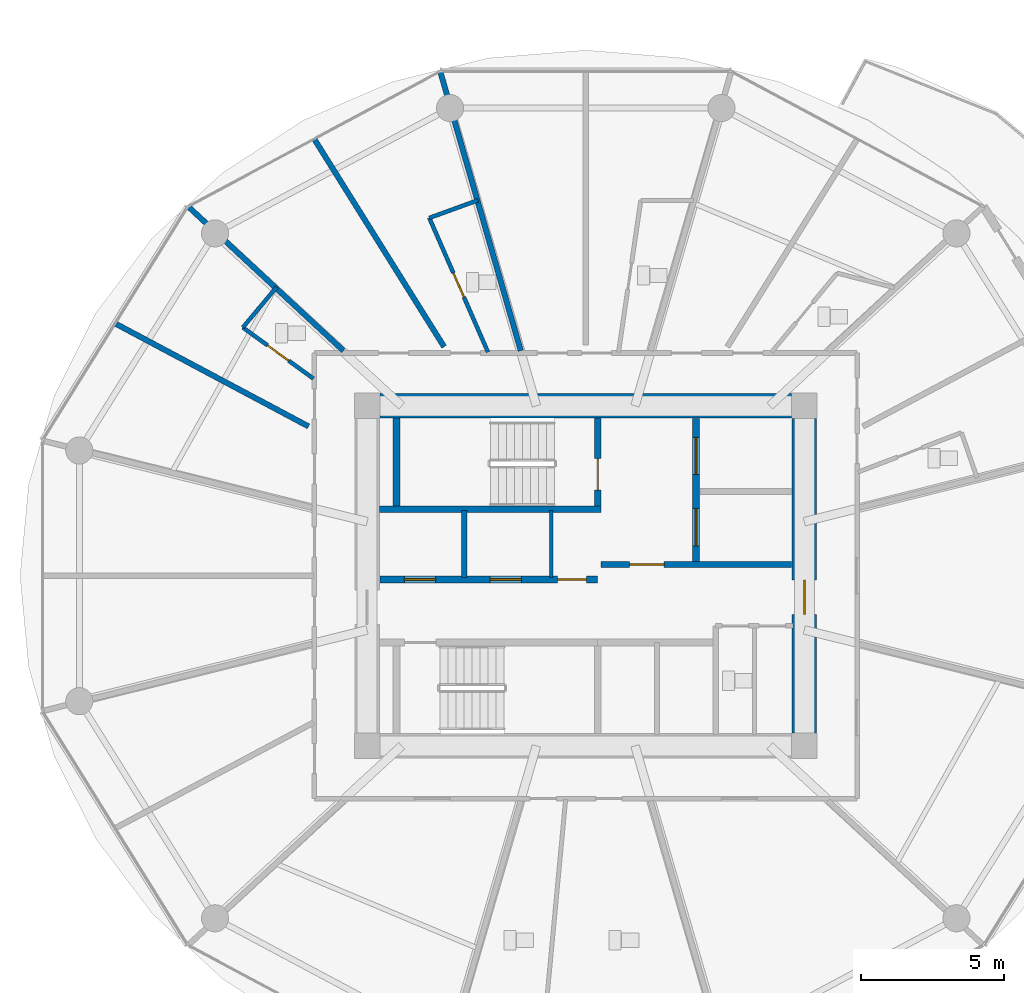
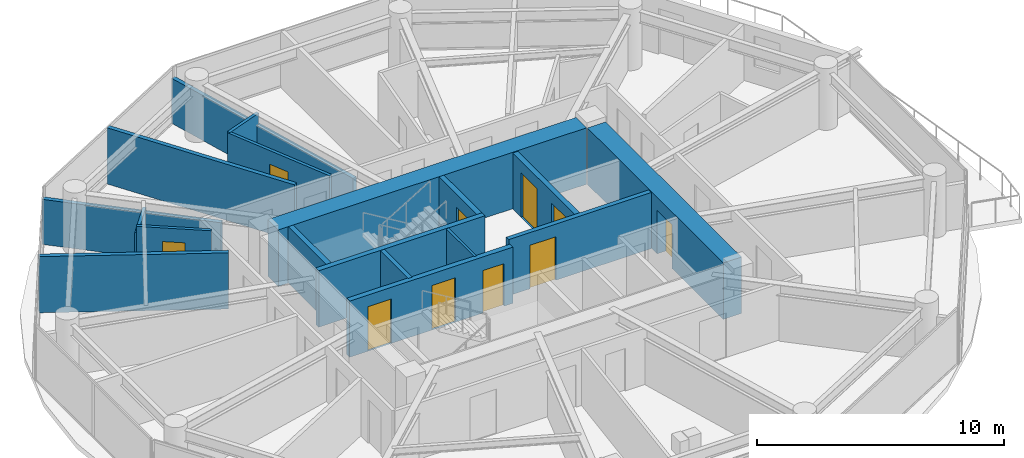
# One storey, part 16 of 26: 18 walls, 10 doors, 10 openings.
"""IFC4 building model written with IfcOpenShell, lengths in metres."""

import ifcopenshell
import ifcopenshell.guid

model = None  # the IFC model being written
_history = None  # IfcOwnerHistory: only IFC2X3 demands one
_inside = {}  # id of a spatial element -> (the spatial element, [elements in it])
_under = {}  # id of a project, library or spatial element -> (it, [spatial elements below it])
_declared = {}  # id of a project -> (the project, [libraries it declares])
_typed = {}  # id of a type object -> (the type object, [elements of that type])
_made_of = {}  # id of a material, layer set ... -> (it, [elements and type objects made of it])


def new_model(schema):
    """Start an empty IFC model of exactly this schema.

    Asked for "IFC4X3", IfcOpenShell would pick the latest addendum, in which some entities
    have other attributes; the version numbers below select the first issue.
    IFC2X3 requires an IfcOwnerHistory on every rooted entity: one is made here for all.
    """
    global model, _history
    if schema == "IFC4X3":
        model = ifcopenshell.file(schema_version=(4, 3, 0, 0))
    else:
        model = ifcopenshell.file(schema=schema)
    _inside.clear()
    _under.clear()
    _declared.clear()
    _typed.clear()
    _made_of.clear()
    _history = None
    if model.schema == "IFC2X3":
        org = make("IfcOrganization", Name="unknown")
        user = make(
            "IfcPersonAndOrganization",
            ThePerson=make("IfcPerson", FamilyName="unknown"),
            TheOrganization=org,
        )
        app = make(
            "IfcApplication",
            ApplicationDeveloper=org,
            Version="unknown",
            ApplicationFullName="unknown",
            ApplicationIdentifier="unknown",
        )
        _history = make(
            "IfcOwnerHistory",
            OwningUser=user,
            OwningApplication=app,
            ChangeAction="ADDED",
            CreationDate=0,
        )
    return model


def make(cls, **values):
    """One entity of the class cls with the attributes given. An attribute that is None is left unset."""
    return model.create_entity(
        cls, **{name: value for name, value in values.items() if value is not None}
    )


def rooted(cls, **values):
    """An entity with a GlobalId (a new one), such as an element, a storey or a relation."""
    return make(cls, GlobalId=ifcopenshell.guid.new(), OwnerHistory=_history, **values)


def si_unit(unit_type, name, prefix=None):
    """IfcSIUnit, for example si_unit("LENGTHUNIT", "METRE", prefix="MILLI")."""
    return make("IfcSIUnit", UnitType=unit_type, Prefix=prefix, Name=name)


def assignment(units):
    """IfcUnitAssignment: the units of a project."""
    return None if units is None else make("IfcUnitAssignment", Units=units)


def point(xyz):
    """IfcCartesianPoint."""
    return None if xyz is None else make("IfcCartesianPoint", Coordinates=xyz)


def direction(xyz):
    """IfcDirection."""
    return None if xyz is None else make("IfcDirection", DirectionRatios=xyz)


def frame(location, z_axis=None, x_axis=None):
    """IfcAxis2Placement3D, a coordinate frame: its origin and axes. An axis left out is left unset."""
    return make(
        "IfcAxis2Placement3D",
        Location=point(location),
        Axis=direction(z_axis),
        RefDirection=direction(x_axis),
    )


def frame_2d(location, x_axis=None):
    """IfcAxis2Placement2D, a coordinate frame in the plane: its origin and x axis."""
    return make(
        "IfcAxis2Placement2D", Location=point(location), RefDirection=direction(x_axis)
    )


def origin():
    """The frame at (0, 0, 0) with its axes left unset."""
    return frame((0.0, 0.0, 0.0))


def place(relative_to, where):
    """IfcLocalPlacement: puts the frame where relative to a parent placement (None: the world)."""
    return make(
        "IfcLocalPlacement", PlacementRelTo=relative_to, RelativePlacement=where
    )


def context(
    kind, dimensions, precision=None, world=None, true_north=None, identifier=None
):
    """IfcGeometricRepresentationContext, for example the 3D "Model" context."""
    return make(
        "IfcGeometricRepresentationContext",
        ContextIdentifier=identifier,
        ContextType=kind,
        CoordinateSpaceDimension=dimensions,
        Precision=precision,
        WorldCoordinateSystem=world,
        TrueNorth=true_north,
    )


def subcontext(parent, identifier, kind, view, scale=None):
    """IfcGeometricRepresentationSubContext, for example "Body" below "Model"."""
    return make(
        "IfcGeometricRepresentationSubContext",
        ContextIdentifier=identifier,
        ContextType=kind,
        ParentContext=parent,
        TargetScale=scale,
        TargetView=view,
    )


def project(units=None, contexts=None):
    """IfcProject with its units and contexts."""
    return rooted(
        "IfcProject",
        Name="project",
        RepresentationContexts=contexts,
        UnitsInContext=assignment(units),
    )


def spatial(cls, under=None, at=None, **own):
    """A site, building, storey or space (cls), placed at a placement, below another one or the project."""
    s = rooted(cls, ObjectPlacement=at, **own)
    if under is not None:
        _under.setdefault(under.id(), (under, []))[1].append(s)
    return s


def profile(cls, at=None, kind="AREA", **sizes):
    """A parametric profile (cls). Its sizes go by their IFC names, for example OverallWidth=200.0."""
    return make(cls, ProfileType=kind, Position=at, **sizes)


def rectangle(**sizes):
    """IfcRectangleProfileDef."""
    return profile("IfcRectangleProfileDef", **sizes)


def extrude(swept, where, along, depth):
    """IfcExtrudedAreaSolid: the profile swept, set in the frame where, extruded along a direction by depth."""
    return make(
        "IfcExtrudedAreaSolid",
        SweptArea=swept,
        Position=where,
        ExtrudedDirection=direction(along),
        Depth=depth,
    )


def shape(context_of_items, identifier, shape_type, items):
    """IfcShapeRepresentation: the items that make up one representation, for example the "Body"."""
    return make(
        "IfcShapeRepresentation",
        ContextOfItems=context_of_items,
        RepresentationIdentifier=identifier,
        RepresentationType=shape_type,
        Items=items,
    )


def source(mapping_origin, context_of_items, identifier, shape_type, items):
    """IfcRepresentationMap: a shape defined once, which mapped items show again and again."""
    return make(
        "IfcRepresentationMap",
        MappingOrigin=mapping_origin,
        MappedRepresentation=shape(context_of_items, identifier, shape_type, items),
    )


def transform(
    local_origin,
    x_axis=None,
    y_axis=None,
    z_axis=None,
    scale=None,
    scale2=None,
    scale3=None,
    uniform=True,
):
    """IfcCartesianTransformationOperator3D, or its non-uniform kind. x_axis, y_axis, z_axis: its Axis1, 2, 3."""
    if uniform:
        return make(
            "IfcCartesianTransformationOperator3D",
            Axis1=direction(x_axis),
            Axis2=direction(y_axis),
            LocalOrigin=point(local_origin),
            Scale=scale,
            Axis3=direction(z_axis),
        )
    return make(
        "IfcCartesianTransformationOperator3DnonUniform",
        Axis1=direction(x_axis),
        Axis2=direction(y_axis),
        LocalOrigin=point(local_origin),
        Scale=scale,
        Axis3=direction(z_axis),
        Scale2=scale2,
        Scale3=scale3,
    )


def mapped(mapping_source, mapping_target):
    """IfcMappedItem: shows the shape of a source again, moved by a transform."""
    return make(
        "IfcMappedItem", MappingSource=mapping_source, MappingTarget=mapping_target
    )


def material(Name=None, Category=None):
    """IfcMaterial."""
    return make("IfcMaterial", Name=Name, Category=Category)


def layer(
    of_material, thickness, ventilated=None, Name=None, Category=None, Priority=None
):
    """IfcMaterialLayer: one layer of a wall or slab, of a material (None: an air gap)."""
    return make(
        "IfcMaterialLayer",
        Material=of_material,
        LayerThickness=thickness,
        IsVentilated=ventilated,
        Name=Name,
        Category=Category,
        Priority=Priority,
    )


def layer_set(layers, Name=None):
    """IfcMaterialLayerSet."""
    return make("IfcMaterialLayerSet", MaterialLayers=layers, LayerSetName=Name)


def made_of(thing, what):
    """Note that an element or type object is made of a material, layer set ...; save() writes the relation."""
    if what is not None:
        _made_of.setdefault(what.id(), (what, []))[1].append(thing)
    return thing


def type_object(cls, material=None, **own):
    """A type object (cls), such as IfcWallType, which elements share."""
    return made_of(rooted(cls, **own), material)


def type_shapes(of_type, sources):
    """Give a type object the sources (RepresentationMaps) that its elements show as mapped items."""
    of_type.RepresentationMaps = sources


def element(
    cls,
    number,
    at=None,
    inside=None,
    cuts=None,
    type_object=None,
    material=None,
    context=None,
    identifier="Body",
    shape_type=None,
    held_by="IfcProductDefinitionShape",
    body=None,
    shapes=None,
    **own,
):
    """One element of the class cls, such as IfcWall. Its Tag is "e" and its number.

    at: its placement. inside: the storey or other place that contains it. cuts: it is an
    opening in that element (IfcRelVoidsElement). A single representation is given by context,
    identifier, shape_type and body (its items); several are given by shapes. held_by: the class
    of the entity that holds the representations. save() writes the other relations.
    """
    e = rooted(cls, Tag="e%d" % number, ObjectPlacement=at, **own)
    if body is not None:
        shapes = [shape(context, identifier, shape_type, body)]
    if shapes is not None:
        e.Representation = make(held_by, Representations=shapes)
    if inside is not None:
        _inside.setdefault(inside.id(), (inside, []))[1].append(e)
    if cuts is not None:
        rooted(
            "IfcRelVoidsElement", RelatingBuildingElement=cuts, RelatedOpeningElement=e
        )
    if type_object is not None:
        _typed.setdefault(type_object.id(), (type_object, []))[1].append(e)
    return made_of(e, material)


def fill(opening, filler):
    """IfcRelFillsElement: the door or window that sits in an opening."""
    return rooted(
        "IfcRelFillsElement",
        RelatingOpeningElement=opening,
        RelatedBuildingElement=filler,
    )


def aggregate(whole, parts):
    """IfcRelAggregates: a whole, such as a stair, and the parts it consists of."""
    return rooted("IfcRelAggregates", RelatingObject=whole, RelatedObjects=parts)


def save(model, path):
    """Write the relations noted so far, then the file.

    IfcRelAggregates (storeys below a building ...), IfcRelContainedInSpatialStructure (elements
    in a storey), IfcRelDefinesByType, IfcRelAssociatesMaterial and IfcRelDeclares: one each for
    every whole, place, type object, material and project.
    """
    for whole, parts in _under.values():
        aggregate(whole, parts)
    for where, things in _inside.values():
        rooted(
            "IfcRelContainedInSpatialStructure",
            RelatedElements=things,
            RelatingStructure=where,
        )
    for kind, things in _typed.values():
        rooted("IfcRelDefinesByType", RelatedObjects=things, RelatingType=kind)
    for what, things in _made_of.values():
        rooted("IfcRelAssociatesMaterial", RelatedObjects=things, RelatingMaterial=what)
    for by, libraries in _declared.values():
        rooted("IfcRelDeclares", RelatingContext=by, RelatedDefinitions=libraries)
    model.write(path)


model = new_model("IFC4")

# Units and contexts
model_context = context("Model", 3, precision=1e-05, world=origin(), true_north=direction((0.0, 1.0)))
body_context = subcontext(model_context, "Body", "Model", "MODEL_VIEW")
ifc_project = project(units=[si_unit("LENGTHUNIT", "METRE"), si_unit("AREAUNIT", "SQUARE_METRE"), si_unit("VOLUMEUNIT", "CUBIC_METRE"), si_unit("PLANEANGLEUNIT", "RADIAN"), si_unit("MASSUNIT", "GRAM", prefix="KILO")], contexts=[model_context])

# Site, building, storey
site_placement = place(None, origin())
site = spatial("IfcSite", under=ifc_project, at=site_placement, CompositionType="ELEMENT")
building_placement = place(site_placement, origin())
building = spatial("IfcBuilding", under=site, at=building_placement, Name="Norrkilde Senior Care Towers", CompositionType="ELEMENT")
storey_placement = place(building_placement, frame((0.0, 0.0, 67.35009765625)))
storey = spatial("IfcBuildingStorey", under=building, at=storey_placement, Name="L20", CompositionType="ELEMENT", Elevation=67.35009765625)

# Wall
ifc_material_1 = material(Name="Concrete C60/75", Category="concrete")
ifc_layer_1 = layer(ifc_material_1, 0.85009765625)
ifc_layer_set_1 = layer_set([ifc_layer_1], Name="Concrete C60/75")
wall_type_1 = type_object("IfcWallType", Name="Core Shear Wall Z1 850", PredefinedType="SHEAR", material=ifc_layer_set_1)
shared_shape_1 = source(origin(), body_context, "Body", "SweptSolid", [
    extrude(rectangle(XDim=14.39990234375, YDim=0.85009765625, at=frame_2d((7.199951171875, 0.0))), origin(), (0.0, 0.0, 1.0), 2.789794921875),
])
wall_1_placement = place(storey_placement, frame((-35.199951171875, 5.949951171875, 0.0), z_axis=(0.0, 0.0, 1.0), x_axis=(1.0, 0.0, 0.0)))
element("IfcWall", 1, at=wall_1_placement, inside=storey, type_object=wall_type_1, Name="L20 Core W North Shear Wall", PredefinedType="SHEAR", context=body_context, shape_type="MappedRepresentation", body=[
    mapped(shared_shape_1, transform((0.0, 0.0, 0.0), x_axis=(1.0, 0.0, 0.0), y_axis=(0.0, 1.0, 0.0), z_axis=(0.0, 0.0, 1.0), scale=1.0)),
])

# Wall, opening, door
shared_shape_2 = source(origin(), body_context, "Body", "SweptSolid", [
    extrude(rectangle(XDim=11.0, YDim=0.85009765625, at=frame_2d((5.5, 0.0))), origin(), (0.0, 0.0, 1.0), 2.789794921875),
])
type_shapes(wall_type_1, [shared_shape_1, shared_shape_2])
wall_2_placement = place(storey_placement, frame((-20.35009765625, 5.5, 0.0), z_axis=(0.0, 0.0, 1.0), x_axis=(0.0, -1.0, 0.0)))
wall_2 = element("IfcWall", 2, at=wall_2_placement, inside=storey, type_object=wall_type_1, Name="L20 Core W East Shear Wall", PredefinedType="SHEAR", context=body_context, shape_type="MappedRepresentation", body=[
    mapped(shared_shape_2, transform((0.0, 0.0, 0.0), x_axis=(1.0, 0.0, 0.0), y_axis=(0.0, 1.0, 0.0), z_axis=(0.0, 0.0, 1.0), scale=1.0)),
])
opening_1_placement = place(wall_2_placement, frame((5.64990234375, 0.0, 0.0)))
opening_1 = element("IfcOpeningElement", 3, at=opening_1_placement, cuts=wall_2, Name="Opening D-04", PredefinedType="OPENING", context=body_context, shape_type="SweptSolid", body=[
    extrude(rectangle(XDim=1.199951171875, YDim=2.14990234375, at=frame_2d((0.60009765625, 1.074951171875))), frame((0.0, 0.43505859375, 0.0), z_axis=(0.0, -1.0, 0.0), x_axis=(1.0, 0.0, 0.0)), (0.0, 0.0, 1.0), 0.8701171875),
])
ifc_material_2 = material(Name="Galvanised Painted Steel", Category="steel")
door_type_1 = type_object("IfcDoorType", Name="Firefighting Lobby Fire Door 1200x2150", OperationType="NOTDEFINED", PredefinedType="DOOR", material=ifc_material_2)
shared_shape_3 = source(origin(), body_context, "Body", "SweptSolid", [
    extrude(rectangle(XDim=1.199951171875, YDim=2.14990234375, at=frame_2d((0.60009765625, 1.074951171875))), frame((0.0, 0.02490234375, 0.0), z_axis=(0.0, -1.0, 0.0), x_axis=(1.0, 0.0, 0.0)), (0.0, 0.0, 1.0), 0.050048828125),
])
type_shapes(door_type_1, [shared_shape_3])
door_1_placement = place(opening_1_placement, frame((1.199951171875, 0.0, 0.0), z_axis=(0.0, 0.0, 1.0), x_axis=(-1.0, 0.0, 0.0)))
door_1 = element("IfcDoor", 4, at=door_1_placement, inside=storey, type_object=door_type_1, Name="L20 Core W East Portal Door", OperationType="SINGLE_SWING_RIGHT", OverallHeight=2.14990234375, OverallWidth=1.199951171875, PredefinedType="DOOR", context=body_context, shape_type="MappedRepresentation", body=[
    mapped(shared_shape_3, transform((0.0, 0.0, 0.0), x_axis=(1.0, 0.0, 0.0), y_axis=(0.0, 1.0, 0.0), z_axis=(0.0, 0.0, 1.0), scale=1.0)),
])
fill(opening_1, door_1)

# Walls
ifc_material_3 = material(Name="Concrete C45/55", Category="concrete")
ifc_layer_2 = layer(ifc_material_3, 0.239990234375)
ifc_layer_set_2 = layer_set([ifc_layer_2], Name="Concrete C45/55")
wall_type_2 = type_object("IfcWallType", Name="Shaft and Stair Enclosure Wall 240", PredefinedType="PARTITIONING", material=ifc_layer_set_2)
shared_shape_4 = source(origin(), body_context, "Body", "SweptSolid", [
    extrude(rectangle(XDim=7.76513671875, YDim=0.239990234375, at=frame_2d((3.882568359375, 0.0))), origin(), (0.0, 0.0, 1.0), 2.789794921875),
])
wall_3_placement = place(storey_placement, frame((-35.22509765625, 2.330078125, 0.0), z_axis=(0.0, 0.0, 1.0), x_axis=(1.0, 0.0, 0.0)))
element("IfcWall", 5, at=wall_3_placement, inside=storey, type_object=wall_type_2, Name="WL-INT-L20-W-ST1S", PredefinedType="PARTITIONING", context=body_context, shape_type="MappedRepresentation", body=[
    mapped(shared_shape_4, transform((0.0, 0.0, 0.0), x_axis=(1.0, 0.0, 0.0), y_axis=(0.0, 1.0, 0.0), z_axis=(0.0, 0.0, 1.0), scale=1.0)),
])
shared_shape_5 = source(origin(), body_context, "Body", "SweptSolid", [
    extrude(rectangle(XDim=3.074951171875, YDim=0.239990234375, at=frame_2d((1.53759765625, 0.0))), origin(), (0.0, 0.0, 1.0), 2.789794921875),
])
type_shapes(wall_type_2, [shared_shape_4, shared_shape_5])
wall_4_placement = place(storey_placement, frame((-34.6201171875, 2.449951171875, 0.0), z_axis=(0.0, 0.0, 1.0), x_axis=(0.0, 1.0, 0.0)))
element("IfcWall", 6, at=wall_4_placement, inside=storey, type_object=wall_type_2, Name="WL-INT-L20-W-ST1W", PredefinedType="PARTITIONING", context=body_context, shape_type="MappedRepresentation", body=[
    mapped(shared_shape_5, transform((0.0, 0.0, 0.0), x_axis=(1.0, 0.0, 0.0), y_axis=(0.0, 1.0, 0.0), z_axis=(0.0, 0.0, 1.0), scale=1.0)),
])

# Wall, opening, door
wall_5_placement = place(storey_placement, frame((-27.580078125, 2.449951171875, 0.0), z_axis=(0.0, 0.0, 1.0), x_axis=(0.0, 1.0, 0.0)))
wall_5 = element("IfcWall", 7, at=wall_5_placement, inside=storey, type_object=wall_type_2, Name="WL-INT-L20-W-ST1E", PredefinedType="PARTITIONING", context=body_context, shape_type="MappedRepresentation", body=[
    mapped(shared_shape_5, transform((0.0, 0.0, 0.0), x_axis=(1.0, 0.0, 0.0), y_axis=(0.0, 1.0, 0.0), z_axis=(0.0, 0.0, 1.0), scale=1.0)),
])
opening_2_placement = place(wall_5_placement, frame((0.550048828125, 0.0, 0.0)))
opening_2 = element("IfcOpeningElement", 8, at=opening_2_placement, cuts=wall_5, Name="Opening D-03", PredefinedType="OPENING", context=body_context, shape_type="SweptSolid", body=[
    extrude(rectangle(XDim=1.10009765625, YDim=2.14990234375, at=frame_2d((0.550048828125, 1.074951171875))), frame((0.0, 0.1298828125, 0.0), z_axis=(0.0, -1.0, 0.0), x_axis=(1.0, 0.0, 0.0)), (0.0, 0.0, 1.0), 0.260009765625),
])
door_type_2 = type_object("IfcDoorType", Name="Stairwell Protected Fire Door 1100x2150", OperationType="NOTDEFINED", PredefinedType="DOOR", material=ifc_material_2)
shared_shape_6 = source(origin(), body_context, "Body", "SweptSolid", [
    extrude(rectangle(XDim=1.10009765625, YDim=2.14990234375, at=frame_2d((0.550048828125, 1.074951171875))), frame((0.0, 0.02490234375, 0.0), z_axis=(0.0, -1.0, 0.0), x_axis=(1.0, 0.0, 0.0)), (0.0, 0.0, 1.0), 0.050048828125),
])
type_shapes(door_type_2, [shared_shape_6])
door_2_placement = place(opening_2_placement, origin())
door_2 = element("IfcDoor", 9, at=door_2_placement, inside=storey, type_object=door_type_2, Name="L20 Stair W1 Fire Door", OperationType="SINGLE_SWING_LEFT", OverallHeight=2.14990234375, OverallWidth=1.10009765625, PredefinedType="DOOR", context=body_context, shape_type="MappedRepresentation", body=[
    mapped(shared_shape_6, transform((0.0, 0.0, 0.0), x_axis=(1.0, 0.0, 0.0), y_axis=(0.0, 1.0, 0.0), z_axis=(0.0, 0.0, 1.0), scale=1.0)),
])
fill(opening_2, door_2)

# Wall, openings, doors
ifc_layer_3 = layer(ifc_material_3, 0.239990234375)
ifc_layer_set_3 = layer_set([ifc_layer_3], Name="Concrete C45/55")
wall_type_3 = type_object("IfcWallType", Name="Lift and Plant Rated Enclosure Partition 240", PredefinedType="PARTITIONING", material=ifc_layer_set_3)
shared_shape_7 = source(origin(), body_context, "Body", "SweptSolid", [
    extrude(rectangle(XDim=5.0, YDim=0.239990234375, at=frame_2d((2.5, 0.0))), origin(), (0.0, 0.0, 1.0), 2.77490234375),
])
wall_6_placement = place(storey_placement, frame((-24.139892578125, 0.5, 0.0), z_axis=(0.0, 0.0, 1.0), x_axis=(0.0, 1.0, 0.0)))
wall_6 = element("IfcWall", 10, at=wall_6_placement, inside=storey, type_object=wall_type_3, Name="WL-INT-L20-W-FFLE", PredefinedType="PARTITIONING", context=body_context, shape_type="MappedRepresentation", body=[
    mapped(shared_shape_7, transform((0.0, 0.0, 0.0), x_axis=(1.0, 0.0, 0.0), y_axis=(0.0, 1.0, 0.0), z_axis=(0.0, 0.0, 1.0), scale=1.0)),
])
opening_3_placement = place(wall_6_placement, frame((3.050048828125, 0.0, 0.0)))
opening_3 = element("IfcOpeningElement", 11, at=opening_3_placement, cuts=wall_6, Name="Opening LD-02", PredefinedType="OPENING", context=body_context, shape_type="SweptSolid", body=[
    extrude(rectangle(XDim=1.300048828125, YDim=2.199951171875, at=frame_2d((0.64990234375, 1.10009765625))), frame((0.0, 0.1298828125, 0.0), z_axis=(0.0, -1.0, 0.0), x_axis=(1.0, 0.0, 0.0)), (0.0, 0.0, 1.0), 0.260009765625),
])
opening_4_placement = place(wall_6_placement, frame((0.550048828125, 0.0, 0.0)))
opening_4 = element("IfcOpeningElement", 12, at=opening_4_placement, cuts=wall_6, Name="Opening LD-02", PredefinedType="OPENING", context=body_context, shape_type="SweptSolid", body=[
    extrude(rectangle(XDim=1.300048828125, YDim=2.199951171875, at=frame_2d((0.64990234375, 1.10009765625))), frame((0.0, 0.1298828125, 0.0), z_axis=(0.0, -1.0, 0.0), x_axis=(1.0, 0.0, 0.0)), (0.0, 0.0, 1.0), 0.260009765625),
])
ifc_material_4 = material(Name="Stainless Steel", Category="steel")
door_type_3 = type_object("IfcDoorType", Name="Stretcher and FFL Landing Sliding Door 1300x2200", OperationType="NOTDEFINED", PredefinedType="DOOR", material=ifc_material_4)
shared_shape_8 = source(origin(), body_context, "Body", "SweptSolid", [
    extrude(rectangle(XDim=1.300048828125, YDim=2.199951171875, at=frame_2d((0.64990234375, 1.10009765625))), frame((0.0, 0.02490234375, 0.0), z_axis=(0.0, -1.0, 0.0), x_axis=(1.0, 0.0, 0.0)), (0.0, 0.0, 1.0), 0.050048828125),
])
type_shapes(door_type_3, [shared_shape_8])
door_3_placement = place(opening_3_placement, origin())
door_3 = element("IfcDoor", 13, at=door_3_placement, inside=storey, type_object=door_type_3, Name="L20 Firefighting Lift W1 Landing Door", OperationType="SLIDING_TO_LEFT", OverallHeight=2.199951171875, OverallWidth=1.300048828125, PredefinedType="DOOR", context=body_context, shape_type="MappedRepresentation", body=[
    mapped(shared_shape_8, transform((0.0, 0.0, 0.0), x_axis=(1.0, 0.0, 0.0), y_axis=(0.0, 1.0, 0.0), z_axis=(0.0, 0.0, 1.0), scale=1.0)),
])
fill(opening_3, door_3)
door_4_placement = place(opening_4_placement, origin())
door_4 = element("IfcDoor", 14, at=door_4_placement, inside=storey, type_object=door_type_3, Name="L20 Stretcher Lift W1 Landing Door", OperationType="SLIDING_TO_RIGHT", OverallHeight=2.199951171875, OverallWidth=1.300048828125, PredefinedType="DOOR", context=body_context, shape_type="MappedRepresentation", body=[
    mapped(shared_shape_8, transform((0.0, 0.0, 0.0), x_axis=(1.0, 0.0, 0.0), y_axis=(0.0, 1.0, 0.0), z_axis=(0.0, 0.0, 1.0), scale=1.0)),
])
fill(opening_4, door_4)

# Wall, opening, door
ifc_layer_4 = layer(ifc_material_3, 0.2099609375)
ifc_layer_set_4 = layer_set([ifc_layer_4], Name="Concrete C45/55")
wall_type_4 = type_object("IfcWallType", Name="Firefighting Lobby Wall 210", PredefinedType="PARTITIONING", material=ifc_layer_set_4)
shared_shape_9 = source(origin(), body_context, "Body", "SweptSolid", [
    extrude(rectangle(XDim=6.659912109375, YDim=0.2099609375, at=frame_2d((3.330078125, 0.0))), origin(), (0.0, 0.0, 1.0), 2.77490234375),
])
type_shapes(wall_type_4, [shared_shape_9])
wall_7_placement = place(storey_placement, frame((-27.4599609375, 0.389892578125, 0.0), z_axis=(0.0, 0.0, 1.0), x_axis=(1.0, 0.0, 0.0)))
wall_7 = element("IfcWall", 15, at=wall_7_placement, inside=storey, type_object=wall_type_4, Name="WL-INT-L20-W-FFLS", PredefinedType="PARTITIONING", context=body_context, shape_type="MappedRepresentation", body=[
    mapped(shared_shape_9, transform((0.0, 0.0, 0.0), x_axis=(1.0, 0.0, 0.0), y_axis=(0.0, 1.0, 0.0), z_axis=(0.0, 0.0, 1.0), scale=1.0)),
])
opening_5_placement = place(wall_7_placement, frame((1.0, 0.0, 0.0)))
opening_5 = element("IfcOpeningElement", 16, at=opening_5_placement, cuts=wall_7, Name="Opening D-04", PredefinedType="OPENING", context=body_context, shape_type="SweptSolid", body=[
    extrude(rectangle(XDim=1.199951171875, YDim=2.14990234375, at=frame_2d((0.60009765625, 1.074951171875))), frame((0.0, 0.114990234375, 0.0), z_axis=(0.0, -1.0, 0.0), x_axis=(1.0, 0.0, 0.0)), (0.0, 0.0, 1.0), 0.22998046875),
])
door_5_placement = place(opening_5_placement, frame((1.199951171875, 0.0, 0.0), z_axis=(0.0, 0.0, 1.0), x_axis=(-1.0, 0.0, 0.0)))
door_5 = element("IfcDoor", 17, at=door_5_placement, inside=storey, type_object=door_type_1, Name="L20 Firefighting Lobby W Door", OperationType="SINGLE_SWING_LEFT", OverallHeight=2.14990234375, OverallWidth=1.199951171875, PredefinedType="DOOR", context=body_context, shape_type="MappedRepresentation", body=[
    mapped(shared_shape_3, transform((0.0, 0.0, 0.0), x_axis=(1.0, 0.0, 0.0), y_axis=(0.0, 1.0, 0.0), z_axis=(0.0, 0.0, 1.0), scale=1.0)),
])
fill(opening_5, door_5)

# Wall, openings, doors
shared_shape_10 = source(origin(), body_context, "Body", "SweptSolid", [
    extrude(rectangle(XDim=7.619873046875, YDim=0.239990234375, at=frame_2d((3.81005859375, 0.0))), origin(), (0.0, 0.0, 1.0), 2.77490234375),
])
type_shapes(wall_type_3, [shared_shape_7, shared_shape_10])
wall_8_placement = place(storey_placement, frame((-35.199951171875, -0.1298828125, 0.0), z_axis=(0.0, 0.0, 1.0), x_axis=(1.0, 0.0, 0.0)))
wall_8 = element("IfcWall", 18, at=wall_8_placement, inside=storey, type_object=wall_type_3, Name="WL-INT-L20-W-PKAS", PredefinedType="PARTITIONING", context=body_context, shape_type="MappedRepresentation", body=[
    mapped(shared_shape_10, transform((0.0, 0.0, 0.0), x_axis=(1.0, 0.0, 0.0), y_axis=(0.0, 1.0, 0.0), z_axis=(0.0, 0.0, 1.0), scale=1.0)),
])
opening_6_placement = place(wall_8_placement, frame((6.219970703125, 0.0, 0.0)))
opening_6 = element("IfcOpeningElement", 19, at=opening_6_placement, cuts=wall_8, Name="Opening D-10", PredefinedType="OPENING", context=body_context, shape_type="SweptSolid", body=[
    extrude(rectangle(XDim=1.0, YDim=2.10009765625, at=frame_2d((0.5, 1.050048828125))), frame((0.0, 0.1298828125, 0.0), z_axis=(0.0, -1.0, 0.0), x_axis=(1.0, 0.0, 0.0)), (0.0, 0.0, 1.0), 0.260009765625),
])
opening_7_placement = place(wall_8_placement, frame((0.85009765625, 0.0, 0.0)))
opening_7 = element("IfcOpeningElement", 20, at=opening_7_placement, cuts=wall_8, Name="Opening LD-01", PredefinedType="OPENING", context=body_context, shape_type="SweptSolid", body=[
    extrude(rectangle(XDim=1.10009765625, YDim=2.199951171875, at=frame_2d((0.550048828125, 1.10009765625))), frame((0.0, 0.1298828125, 0.0), z_axis=(0.0, -1.0, 0.0), x_axis=(1.0, 0.0, 0.0)), (0.0, 0.0, 1.0), 0.260009765625),
])
opening_8_placement = place(wall_8_placement, frame((3.85009765625, 0.0, 0.0)))
opening_8 = element("IfcOpeningElement", 21, at=opening_8_placement, cuts=wall_8, Name="Opening LD-01", PredefinedType="OPENING", context=body_context, shape_type="SweptSolid", body=[
    extrude(rectangle(XDim=1.10009765625, YDim=2.199951171875, at=frame_2d((0.550048828125, 1.10009765625))), frame((0.0, 0.1298828125, 0.0), z_axis=(0.0, -1.0, 0.0), x_axis=(1.0, 0.0, 0.0)), (0.0, 0.0, 1.0), 0.260009765625),
])
door_type_4 = type_object("IfcDoorType", Name="Plant and Riser Rated Door 1000x2100", OperationType="NOTDEFINED", PredefinedType="DOOR", material=ifc_material_2)
shared_shape_11 = source(origin(), body_context, "Body", "SweptSolid", [
    extrude(rectangle(XDim=1.0, YDim=2.10009765625, at=frame_2d((0.5, 1.050048828125))), frame((0.0, 0.02490234375, 0.0), z_axis=(0.0, -1.0, 0.0), x_axis=(1.0, 0.0, 0.0)), (0.0, 0.0, 1.0), 0.050048828125),
])
type_shapes(door_type_4, [shared_shape_11])
door_6_placement = place(opening_6_placement, frame((1.0, 0.0, 0.0), z_axis=(0.0, 0.0, 1.0), x_axis=(-1.0, 0.0, 0.0)))
door_6 = element("IfcDoor", 22, at=door_6_placement, inside=storey, type_object=door_type_4, Name="L20 Electrical Riser W Door", OperationType="SINGLE_SWING_LEFT", OverallHeight=2.10009765625, OverallWidth=1.0, PredefinedType="DOOR", context=body_context, shape_type="MappedRepresentation", body=[
    mapped(shared_shape_11, transform((0.0, 0.0, 0.0), x_axis=(1.0, 0.0, 0.0), y_axis=(0.0, 1.0, 0.0), z_axis=(0.0, 0.0, 1.0), scale=1.0)),
])
fill(opening_6, door_6)
door_type_5 = type_object("IfcDoorType", Name="Lift Landing Sliding Door 1100x2200", OperationType="NOTDEFINED", PredefinedType="DOOR", material=ifc_material_4)
shared_shape_12 = source(origin(), body_context, "Body", "SweptSolid", [
    extrude(rectangle(XDim=1.10009765625, YDim=2.199951171875, at=frame_2d((0.550048828125, 1.10009765625))), frame((0.0, 0.02490234375, 0.0), z_axis=(0.0, -1.0, 0.0), x_axis=(1.0, 0.0, 0.0)), (0.0, 0.0, 1.0), 0.050048828125),
])
type_shapes(door_type_5, [shared_shape_12])
door_7_placement = place(opening_7_placement, origin())
door_7 = element("IfcDoor", 23, at=door_7_placement, inside=storey, type_object=door_type_5, Name="L20 Passenger Lift W1 Landing Door", OperationType="SLIDING_TO_LEFT", OverallHeight=2.199951171875, OverallWidth=1.10009765625, PredefinedType="DOOR", context=body_context, shape_type="MappedRepresentation", body=[
    mapped(shared_shape_12, transform((0.0, 0.0, 0.0), x_axis=(1.0, 0.0, 0.0), y_axis=(0.0, 1.0, 0.0), z_axis=(0.0, 0.0, 1.0), scale=1.0)),
])
fill(opening_7, door_7)
door_8_placement = place(opening_8_placement, origin())
door_8 = element("IfcDoor", 24, at=door_8_placement, inside=storey, type_object=door_type_5, Name="L20 Passenger Lift W2 Landing Door", OperationType="SLIDING_TO_RIGHT", OverallHeight=2.199951171875, OverallWidth=1.10009765625, PredefinedType="DOOR", context=body_context, shape_type="MappedRepresentation", body=[
    mapped(shared_shape_12, transform((0.0, 0.0, 0.0), x_axis=(1.0, 0.0, 0.0), y_axis=(0.0, 1.0, 0.0), z_axis=(0.0, 0.0, 1.0), scale=1.0)),
])
fill(opening_8, door_8)

# Walls
ifc_material_5 = material(Name="Gypsum Acoustic Board")
ifc_layer_5 = layer(ifc_material_5, 0.114990234375)
ifc_layer_set_5 = layer_set([ifc_layer_5], Name="Gypsum Acoustic Board")
wall_type_5 = type_object("IfcWallType", Name="Internal Room Partition 115", PredefinedType="PARTITIONING", material=ifc_layer_set_5)
shared_shape_13 = source(origin(), body_context, "Body", "SweptSolid", [
    extrude(rectangle(XDim=2.330078125, YDim=0.114990234375, at=frame_2d((1.1650390625, 0.0))), origin(), (0.0, 0.0, 1.0), 2.77490234375),
])
type_shapes(wall_type_5, [shared_shape_13])
wall_9_placement = place(storey_placement, frame((-29.2099609375, -0.050048828125, 0.0), z_axis=(0.0, 0.0, 1.0), x_axis=(0.0, 1.0, 0.0)))
element("IfcWall", 25, at=wall_9_placement, inside=storey, type_object=wall_type_5, Name="WL-INT-L20-W-RISW", PredefinedType="PARTITIONING", context=body_context, shape_type="MappedRepresentation", body=[
    mapped(shared_shape_13, transform((0.0, 0.0, 0.0), x_axis=(1.0, 0.0, 0.0), y_axis=(0.0, 1.0, 0.0), z_axis=(0.0, 0.0, 1.0), scale=1.0)),
])
ifc_layer_6 = layer(ifc_material_3, 0.199951171875)
ifc_layer_set_6 = layer_set([ifc_layer_6], Name="Concrete C45/55")
wall_type_6 = type_object("IfcWallType", Name="Shaft Division and Plant Partition 200", PredefinedType="PARTITIONING", material=ifc_layer_set_6)
shared_shape_14 = source(origin(), body_context, "Body", "SweptSolid", [
    extrude(rectangle(XDim=2.330078125, YDim=0.199951171875, at=frame_2d((1.1650390625, 0.0))), origin(), (0.0, 0.0, 1.0), 2.77490234375),
])
type_shapes(wall_type_6, [shared_shape_14])
wall_10_placement = place(storey_placement, frame((-32.25, -0.050048828125, 0.0), z_axis=(0.0, 0.0, 1.0), x_axis=(0.0, 1.0, 0.0)))
element("IfcWall", 26, at=wall_10_placement, inside=storey, type_object=wall_type_6, Name="WL-INT-L20-W-PL12", PredefinedType="PARTITIONING", context=body_context, shape_type="MappedRepresentation", body=[
    mapped(shared_shape_14, transform((0.0, 0.0, 0.0), x_axis=(1.0, 0.0, 0.0), y_axis=(0.0, 1.0, 0.0), z_axis=(0.0, 0.0, 1.0), scale=1.0)),
])
ifc_layer_7 = layer(ifc_material_5, 0.18994140625)
ifc_layer_set_7 = layer_set([ifc_layer_7], Name="Gypsum Acoustic Board")
wall_type_7 = type_object("IfcWallType", Name="Unit Demising Acoustic Wall 190", PredefinedType="PARTITIONING", material=ifc_layer_set_7)
shared_shape_15 = source(origin(), body_context, "Body", "SweptSolid", [
    extrude(rectangle(XDim=7.4345703125, YDim=0.18994140625, at=frame_2d((3.71728515625, 0.0))), origin(), (0.0, 0.0, 1.0), 2.224853515625),
])
wall_11_placement = place(storey_placement, frame((-36.48291015625, 7.8798828125, 0.0), z_axis=(0.0, 0.0, 1.0), x_axis=(-0.732651956848, 0.680603489652, 0.0)))
element("IfcWall", 27, at=wall_11_placement, inside=storey, type_object=wall_type_7, Name="WL-INT-L20-W-DEM-04-0", PredefinedType="PARTITIONING", context=body_context, shape_type="MappedRepresentation", body=[
    mapped(shared_shape_15, transform((0.0, 0.0, 0.0), x_axis=(1.0, 0.0, 0.0), y_axis=(0.0, 1.0, 0.0), z_axis=(0.0, 0.0, 1.0), scale=1.0)),
])
shared_shape_16 = source(origin(), body_context, "Body", "SweptSolid", [
    extrude(rectangle(XDim=10.196044921875, YDim=0.18994140625, at=frame_2d((5.09814453125, 0.0))), origin(), (0.0, 0.0, 1.0), 2.224853515625),
])
wall_12_placement = place(storey_placement, frame((-30.27294921875, 7.8798828125, 0.0), z_axis=(0.0, 0.0, 1.0), x_axis=(-0.277136420347, 0.960830580549, 0.0)))
element("IfcWall", 28, at=wall_12_placement, inside=storey, type_object=wall_type_7, Name="WL-INT-L20-W-DEM-03-0", PredefinedType="PARTITIONING", context=body_context, shape_type="MappedRepresentation", body=[
    mapped(shared_shape_16, transform((0.0, 0.0, 0.0), x_axis=(1.0, 0.0, 0.0), y_axis=(0.0, 1.0, 0.0), z_axis=(0.0, 0.0, 1.0), scale=1.0)),
])
shared_shape_17 = source(origin(), body_context, "Body", "SweptSolid", [
    extrude(rectangle(XDim=8.59814453125, YDim=0.18994140625, at=frame_2d((4.299072265625, 0.0))), origin(), (0.0, 0.0, 1.0), 2.77490234375),
])
wall_13_placement = place(storey_placement, frame((-32.95703125, 8.017333984375, 0.0), z_axis=(0.0, 0.0, 1.0), x_axis=(-0.530039776395, 0.847972779893, 0.0)))
element("IfcWall", 29, at=wall_13_placement, inside=storey, type_object=wall_type_7, Name="WL-INT-L20-W-CMID-03", PredefinedType="PARTITIONING", context=body_context, shape_type="MappedRepresentation", body=[
    mapped(shared_shape_17, transform((0.0, 0.0, 0.0), x_axis=(1.0, 0.0, 0.0), y_axis=(0.0, 1.0, 0.0), z_axis=(0.0, 0.0, 1.0), scale=1.0)),
])
shared_shape_18 = source(origin(), body_context, "Body", "SweptSolid", [
    extrude(rectangle(XDim=7.6767578125, YDim=0.18994140625, at=frame_2d((3.83837890625, 0.0))), origin(), (0.0, 0.0, 1.0), 2.77490234375),
])
type_shapes(wall_type_7, [shared_shape_15, shared_shape_16, shared_shape_17, shared_shape_18])
wall_14_placement = place(storey_placement, frame((-37.703125, 5.23095703125, 0.0), z_axis=(0.0, 0.0, 1.0), x_axis=(-0.882725057546, 0.469889851753, 0.0)))
element("IfcWall", 30, at=wall_14_placement, inside=storey, type_object=wall_type_7, Name="WL-INT-L20-W-CMID-04", PredefinedType="PARTITIONING", context=body_context, shape_type="MappedRepresentation", body=[
    mapped(shared_shape_18, transform((0.0, 0.0, 0.0), x_axis=(1.0, 0.0, 0.0), y_axis=(0.0, 1.0, 0.0), z_axis=(0.0, 0.0, 1.0), scale=1.0)),
])

# Wall, opening, door
ifc_layer_8 = layer(ifc_material_5, 0.139892578125)
ifc_layer_set_8 = layer_set([ifc_layer_8], Name="Gypsum Acoustic Board")
wall_type_8 = type_object("IfcWallType", Name="En-suite Wet Room Wall 140", PredefinedType="PARTITIONING", material=ifc_layer_set_8)
shared_shape_19 = source(origin(), body_context, "Body", "SweptSolid", [
    extrude(rectangle(XDim=5.125732421875, YDim=0.139892578125, at=frame_2d((2.56298828125, 0.0))), origin(), (0.0, 0.0, 1.0), 2.77490234375),
])
wall_15_placement = place(storey_placement, frame((-31.421875, 7.830078125, 0.0), z_axis=(0.0, 0.0, 1.0), x_axis=(-0.400473994842, 0.916308124735, 0.0)))
wall_15 = element("IfcWall", 31, at=wall_15_placement, inside=storey, type_object=wall_type_8, Name="WL-INT-L20-W-ES-03A", PredefinedType="PARTITIONING", context=body_context, shape_type="MappedRepresentation", body=[
    mapped(shared_shape_19, transform((0.0, 0.0, 0.0), x_axis=(1.0, 0.0, 0.0), y_axis=(0.0, 1.0, 0.0), z_axis=(0.0, 0.0, 1.0), scale=1.0)),
])
opening_9_placement = place(wall_15_placement, frame((2.102783203125, 0.0, 0.0)))
opening_9 = element("IfcOpeningElement", 32, at=opening_9_placement, cuts=wall_15, Name="Opening D-08", PredefinedType="OPENING", context=body_context, shape_type="SweptSolid", body=[
    extrude(rectangle(XDim=0.919921875, YDim=2.10009765625, at=frame_2d((0.4599609375, 1.050048828125))), frame((0.0, 0.079833984375, 0.0), z_axis=(0.0, -1.0, 0.0), x_axis=(1.0, 0.0, 0.0)), (0.0, 0.0, 1.0), 0.159912109375),
])
ifc_material_6 = material(Name="Nordic Ash Timber", Category="wood")
door_type_6 = type_object("IfcDoorType", Name="Accessible Wet Room Door 920x2100", OperationType="NOTDEFINED", PredefinedType="DOOR", material=ifc_material_6)
shared_shape_20 = source(origin(), body_context, "Body", "SweptSolid", [
    extrude(rectangle(XDim=0.919921875, YDim=2.10009765625, at=frame_2d((0.4599609375, 1.050048828125))), frame((0.0, 0.02490234375, 0.0), z_axis=(0.0, -1.0, 0.0), x_axis=(1.0, 0.0, 0.0)), (0.0, 0.0, 1.0), 0.050048828125),
])
type_shapes(door_type_6, [shared_shape_20])
door_9_placement = place(opening_9_placement, origin())
door_9 = element("IfcDoor", 33, at=door_9_placement, inside=storey, type_object=door_type_6, Name="L20 Care Suite 2003A Bathroom Door", OperationType="SINGLE_SWING_LEFT", OverallHeight=2.10009765625, OverallWidth=0.919921875, PredefinedType="DOOR", context=body_context, shape_type="MappedRepresentation", body=[
    mapped(shared_shape_20, transform((0.0, 0.0, 0.0), x_axis=(1.0, 0.0, 0.0), y_axis=(0.0, 1.0, 0.0), z_axis=(0.0, 0.0, 1.0), scale=1.0)),
])
fill(opening_9, door_9)

# Wall
shared_shape_21 = source(origin(), body_context, "Body", "SweptSolid", [
    extrude(rectangle(XDim=1.811279296875, YDim=0.139892578125, at=frame_2d((0.90576171875, 0.0))), origin(), (0.0, 0.0, 1.0), 2.77490234375),
])
wall_16_placement = place(storey_placement, frame((-33.474609375, 12.52685546875, 0.0), z_axis=(0.0, 0.0, 1.0), x_axis=(0.940009682452, 0.341147764021, 0.0)))
element("IfcWall", 34, at=wall_16_placement, inside=storey, type_object=wall_type_8, Name="WL-INT-L20-W-EF-03A", PredefinedType="PARTITIONING", context=body_context, shape_type="MappedRepresentation", body=[
    mapped(shared_shape_21, transform((0.0, 0.0, 0.0), x_axis=(1.0, 0.0, 0.0), y_axis=(0.0, 1.0, 0.0), z_axis=(0.0, 0.0, 1.0), scale=1.0)),
])

# Wall, opening, door
shared_shape_22 = source(origin(), body_context, "Body", "SweptSolid", [
    extrude(rectangle(XDim=3.050537109375, YDim=0.139892578125, at=frame_2d((1.525390625, 0.0))), origin(), (0.0, 0.0, 1.0), 2.77490234375),
])
wall_17_placement = place(storey_placement, frame((-37.530029296875, 6.902587890625, 0.0), z_axis=(0.0, 0.0, 1.0), x_axis=(-0.809849031404, 0.586638343729, 0.0)))
wall_17 = element("IfcWall", 35, at=wall_17_placement, inside=storey, type_object=wall_type_8, Name="WL-INT-L20-W-ES-04A", PredefinedType="PARTITIONING", context=body_context, shape_type="MappedRepresentation", body=[
    mapped(shared_shape_22, transform((0.0, 0.0, 0.0), x_axis=(1.0, 0.0, 0.0), y_axis=(0.0, 1.0, 0.0), z_axis=(0.0, 0.0, 1.0), scale=1.0)),
])
opening_10_placement = place(wall_17_placement, frame((1.065185546875, 0.0, 0.0)))
opening_10 = element("IfcOpeningElement", 36, at=opening_10_placement, cuts=wall_17, Name="Opening D-08", PredefinedType="OPENING", context=body_context, shape_type="SweptSolid", body=[
    extrude(rectangle(XDim=0.919921875, YDim=2.10009765625, at=frame_2d((0.4599609375, 1.050048828125))), frame((0.0, 0.079833984375, 0.0), z_axis=(0.0, -1.0, 0.0), x_axis=(1.0, 0.0, 0.0)), (0.0, 0.0, 1.0), 0.159912109375),
])
door_10_placement = place(opening_10_placement, origin())
door_10 = element("IfcDoor", 37, at=door_10_placement, inside=storey, type_object=door_type_6, Name="L20 Care Suite 2004A Bathroom Door", OperationType="SINGLE_SWING_RIGHT", OverallHeight=2.10009765625, OverallWidth=0.919921875, PredefinedType="DOOR", context=body_context, shape_type="MappedRepresentation", body=[
    mapped(shared_shape_20, transform((0.0, 0.0, 0.0), x_axis=(1.0, 0.0, 0.0), y_axis=(0.0, 1.0, 0.0), z_axis=(0.0, 0.0, 1.0), scale=1.0)),
])
fill(opening_10, door_10)

# Wall
shared_shape_23 = source(origin(), body_context, "Body", "SweptSolid", [
    extrude(rectangle(XDim=1.840087890625, YDim=0.139892578125, at=frame_2d((0.919921875, 0.0))), origin(), (0.0, 0.0, 1.0), 2.414794921875),
])
type_shapes(wall_type_8, [shared_shape_19, shared_shape_21, shared_shape_22, shared_shape_23])
wall_18_placement = place(storey_placement, frame((-40.00048828125, 8.692138671875, 0.0), z_axis=(0.0, 0.0, 1.0), x_axis=(0.641410397049, 0.767197955262, 0.0)))
element("IfcWall", 38, at=wall_18_placement, inside=storey, type_object=wall_type_8, Name="WL-INT-L20-W-EF-04A", PredefinedType="PARTITIONING", context=body_context, shape_type="MappedRepresentation", body=[
    mapped(shared_shape_23, transform((0.0, 0.0, 0.0), x_axis=(1.0, 0.0, 0.0), y_axis=(0.0, 1.0, 0.0), z_axis=(0.0, 0.0, 1.0), scale=1.0)),
])

save(model, "model.ifc")
